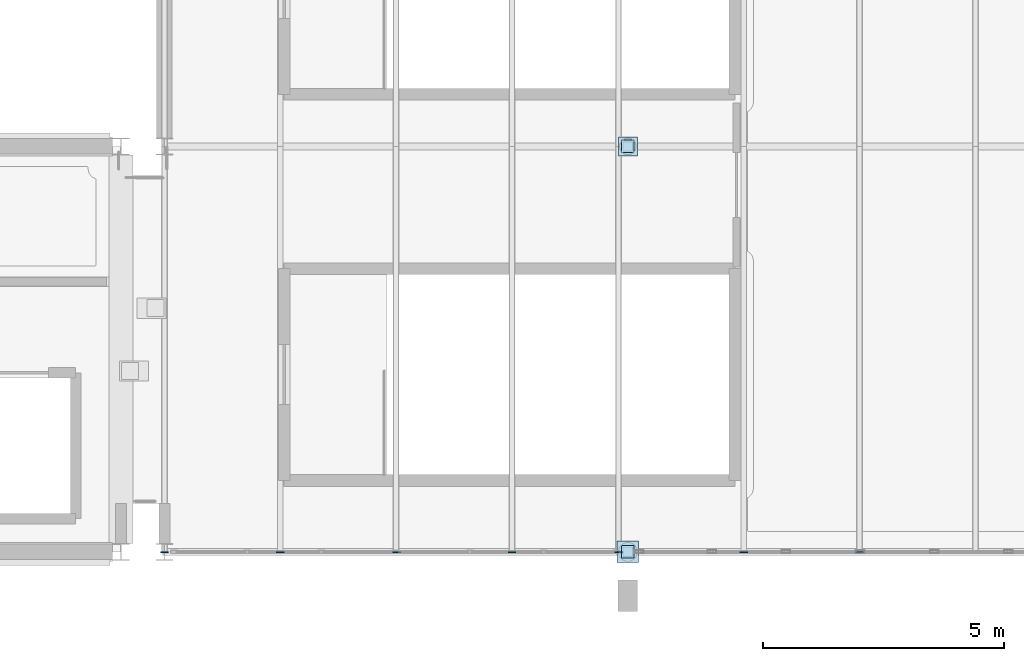
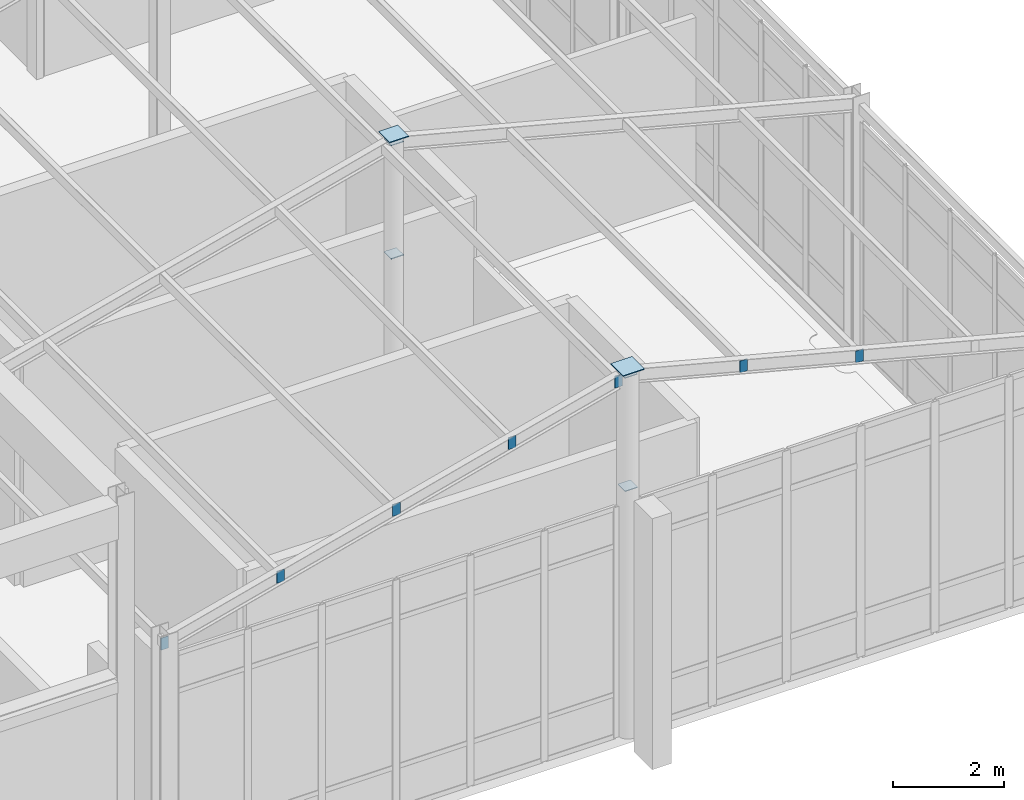
# One storey, part 105 of 121: 13 plates.
"""IFC4 building model written with IfcOpenShell, lengths in metres."""

import ifcopenshell
import ifcopenshell.guid

model = None  # the IFC model being written
_history = None  # IfcOwnerHistory: only IFC2X3 demands one
_inside = {}  # id of a spatial element -> (the spatial element, [elements in it])
_under = {}  # id of a project, library or spatial element -> (it, [spatial elements below it])
_declared = {}  # id of a project -> (the project, [libraries it declares])
_typed = {}  # id of a type object -> (the type object, [elements of that type])
_made_of = {}  # id of a material, layer set ... -> (it, [elements and type objects made of it])


def new_model(schema):
    """Start an empty IFC model of exactly this schema.

    Asked for "IFC4X3", IfcOpenShell would pick the latest addendum, in which some entities
    have other attributes; the version numbers below select the first issue.
    IFC2X3 requires an IfcOwnerHistory on every rooted entity: one is made here for all.
    """
    global model, _history
    if schema == "IFC4X3":
        model = ifcopenshell.file(schema_version=(4, 3, 0, 0))
    else:
        model = ifcopenshell.file(schema=schema)
    _inside.clear()
    _under.clear()
    _declared.clear()
    _typed.clear()
    _made_of.clear()
    _history = None
    if model.schema == "IFC2X3":
        org = make("IfcOrganization", Name="unknown")
        user = make(
            "IfcPersonAndOrganization",
            ThePerson=make("IfcPerson", FamilyName="unknown"),
            TheOrganization=org,
        )
        app = make(
            "IfcApplication",
            ApplicationDeveloper=org,
            Version="unknown",
            ApplicationFullName="unknown",
            ApplicationIdentifier="unknown",
        )
        _history = make(
            "IfcOwnerHistory",
            OwningUser=user,
            OwningApplication=app,
            ChangeAction="ADDED",
            CreationDate=0,
        )
    return model


def make(cls, **values):
    """One entity of the class cls with the attributes given. An attribute that is None is left unset."""
    return model.create_entity(
        cls, **{name: value for name, value in values.items() if value is not None}
    )


def rooted(cls, **values):
    """An entity with a GlobalId (a new one), such as an element, a storey or a relation."""
    return make(cls, GlobalId=ifcopenshell.guid.new(), OwnerHistory=_history, **values)


def si_unit(unit_type, name, prefix=None):
    """IfcSIUnit, for example si_unit("LENGTHUNIT", "METRE", prefix="MILLI")."""
    return make("IfcSIUnit", UnitType=unit_type, Prefix=prefix, Name=name)


def assignment(units):
    """IfcUnitAssignment: the units of a project."""
    return None if units is None else make("IfcUnitAssignment", Units=units)


def point(xyz):
    """IfcCartesianPoint."""
    return None if xyz is None else make("IfcCartesianPoint", Coordinates=xyz)


def direction(xyz):
    """IfcDirection."""
    return None if xyz is None else make("IfcDirection", DirectionRatios=xyz)


def frame(location, z_axis=None, x_axis=None):
    """IfcAxis2Placement3D, a coordinate frame: its origin and axes. An axis left out is left unset."""
    return make(
        "IfcAxis2Placement3D",
        Location=point(location),
        Axis=direction(z_axis),
        RefDirection=direction(x_axis),
    )


def frame_2d(location, x_axis=None):
    """IfcAxis2Placement2D, a coordinate frame in the plane: its origin and x axis."""
    return make(
        "IfcAxis2Placement2D", Location=point(location), RefDirection=direction(x_axis)
    )


def origin():
    """The frame at (0, 0, 0) with its axes left unset."""
    return frame((0.0, 0.0, 0.0))


def origin_2d():
    """The frame at (0, 0) in the plane with its x axis left unset."""
    return frame_2d((0.0, 0.0))


def place(relative_to, where):
    """IfcLocalPlacement: puts the frame where relative to a parent placement (None: the world)."""
    return make(
        "IfcLocalPlacement", PlacementRelTo=relative_to, RelativePlacement=where
    )


def context(
    kind, dimensions, precision=None, world=None, true_north=None, identifier=None
):
    """IfcGeometricRepresentationContext, for example the 3D "Model" context."""
    return make(
        "IfcGeometricRepresentationContext",
        ContextIdentifier=identifier,
        ContextType=kind,
        CoordinateSpaceDimension=dimensions,
        Precision=precision,
        WorldCoordinateSystem=world,
        TrueNorth=true_north,
    )


def subcontext(parent, identifier, kind, view, scale=None):
    """IfcGeometricRepresentationSubContext, for example "Body" below "Model"."""
    return make(
        "IfcGeometricRepresentationSubContext",
        ContextIdentifier=identifier,
        ContextType=kind,
        ParentContext=parent,
        TargetScale=scale,
        TargetView=view,
    )


def project(units=None, contexts=None):
    """IfcProject with its units and contexts."""
    return rooted(
        "IfcProject",
        Name="project",
        RepresentationContexts=contexts,
        UnitsInContext=assignment(units),
    )


def spatial(cls, under=None, at=None, **own):
    """A site, building, storey or space (cls), placed at a placement, below another one or the project."""
    s = rooted(cls, ObjectPlacement=at, **own)
    if under is not None:
        _under.setdefault(under.id(), (under, []))[1].append(s)
    return s


def profile(cls, at=None, kind="AREA", **sizes):
    """A parametric profile (cls). Its sizes go by their IFC names, for example OverallWidth=200.0."""
    return make(cls, ProfileType=kind, Position=at, **sizes)


def rectangle(**sizes):
    """IfcRectangleProfileDef."""
    return profile("IfcRectangleProfileDef", **sizes)


def extrude(swept, where, along, depth):
    """IfcExtrudedAreaSolid: the profile swept, set in the frame where, extruded along a direction by depth."""
    return make(
        "IfcExtrudedAreaSolid",
        SweptArea=swept,
        Position=where,
        ExtrudedDirection=direction(along),
        Depth=depth,
    )


def shape(context_of_items, identifier, shape_type, items):
    """IfcShapeRepresentation: the items that make up one representation, for example the "Body"."""
    return make(
        "IfcShapeRepresentation",
        ContextOfItems=context_of_items,
        RepresentationIdentifier=identifier,
        RepresentationType=shape_type,
        Items=items,
    )


def material(Name=None, Category=None):
    """IfcMaterial."""
    return make("IfcMaterial", Name=Name, Category=Category)


def layer(
    of_material, thickness, ventilated=None, Name=None, Category=None, Priority=None
):
    """IfcMaterialLayer: one layer of a wall or slab, of a material (None: an air gap)."""
    return make(
        "IfcMaterialLayer",
        Material=of_material,
        LayerThickness=thickness,
        IsVentilated=ventilated,
        Name=Name,
        Category=Category,
        Priority=Priority,
    )


def layer_set(layers, Name=None):
    """IfcMaterialLayerSet."""
    return make("IfcMaterialLayerSet", MaterialLayers=layers, LayerSetName=Name)


def made_of(thing, what):
    """Note that an element or type object is made of a material, layer set ...; save() writes the relation."""
    if what is not None:
        _made_of.setdefault(what.id(), (what, []))[1].append(thing)
    return thing


def type_object(cls, material=None, **own):
    """A type object (cls), such as IfcWallType, which elements share."""
    return made_of(rooted(cls, **own), material)


def element(
    cls,
    number,
    at=None,
    inside=None,
    cuts=None,
    type_object=None,
    material=None,
    context=None,
    identifier="Body",
    shape_type=None,
    held_by="IfcProductDefinitionShape",
    body=None,
    shapes=None,
    **own,
):
    """One element of the class cls, such as IfcWall. Its Tag is "e" and its number.

    at: its placement. inside: the storey or other place that contains it. cuts: it is an
    opening in that element (IfcRelVoidsElement). A single representation is given by context,
    identifier, shape_type and body (its items); several are given by shapes. held_by: the class
    of the entity that holds the representations. save() writes the other relations.
    """
    e = rooted(cls, Tag="e%d" % number, ObjectPlacement=at, **own)
    if body is not None:
        shapes = [shape(context, identifier, shape_type, body)]
    if shapes is not None:
        e.Representation = make(held_by, Representations=shapes)
    if inside is not None:
        _inside.setdefault(inside.id(), (inside, []))[1].append(e)
    if cuts is not None:
        rooted(
            "IfcRelVoidsElement", RelatingBuildingElement=cuts, RelatedOpeningElement=e
        )
    if type_object is not None:
        _typed.setdefault(type_object.id(), (type_object, []))[1].append(e)
    return made_of(e, material)


def aggregate(whole, parts):
    """IfcRelAggregates: a whole, such as a stair, and the parts it consists of."""
    return rooted("IfcRelAggregates", RelatingObject=whole, RelatedObjects=parts)


def save(model, path):
    """Write the relations noted so far, then the file.

    IfcRelAggregates (storeys below a building ...), IfcRelContainedInSpatialStructure (elements
    in a storey), IfcRelDefinesByType, IfcRelAssociatesMaterial and IfcRelDeclares: one each for
    every whole, place, type object, material and project.
    """
    for whole, parts in _under.values():
        aggregate(whole, parts)
    for where, things in _inside.values():
        rooted(
            "IfcRelContainedInSpatialStructure",
            RelatedElements=things,
            RelatingStructure=where,
        )
    for kind, things in _typed.values():
        rooted("IfcRelDefinesByType", RelatedObjects=things, RelatingType=kind)
    for what, things in _made_of.values():
        rooted("IfcRelAssociatesMaterial", RelatedObjects=things, RelatingMaterial=what)
    for by, libraries in _declared.values():
        rooted("IfcRelDeclares", RelatingContext=by, RelatedDefinitions=libraries)
    model.write(path)


model = new_model("IFC4")

# Units and contexts
model_context = context("Model", 3, precision=1e-05, world=origin(), true_north=direction((0.0, 1.0)))
body_context = subcontext(model_context, "Body", "Model", "MODEL_VIEW")
ifc_project = project(units=[si_unit("LENGTHUNIT", "METRE"), si_unit("AREAUNIT", "SQUARE_METRE"), si_unit("VOLUMEUNIT", "CUBIC_METRE"), si_unit("PLANEANGLEUNIT", "RADIAN"), si_unit("MASSUNIT", "GRAM", prefix="KILO")], contexts=[model_context])

# Site, building, storey
site_placement = place(None, origin())
site = spatial("IfcSite", under=ifc_project, at=site_placement, CompositionType="ELEMENT")
building_placement = place(site_placement, origin())
building = spatial("IfcBuilding", under=site, at=building_placement, Name="Canglan Escarpment Cableway Terminal", CompositionType="ELEMENT")
storey_placement = place(building_placement, frame((0.0, 0.0, 24.60009765625)))
storey = spatial("IfcBuildingStorey", under=building, at=storey_placement, Name="L05", CompositionType="ELEMENT", Elevation=24.60009765625)

# Plates
ifc_material = material(Name="Steel Q355B", Category="steel")
ifc_layer_1 = layer(ifc_material, 0.01611328125, Name="Steel Q355B")
ifc_layer_set_1 = layer_set([ifc_layer_1], Name="Steel Q355B")
plate_type_1 = type_object("IfcPlateType", Name="PLT-CAP-16", PredefinedType="SHEET", material=ifc_layer_set_1)
plate_1_placement = place(storey_placement, frame((156.800048828125, 8.0, 8.015869140625), z_axis=(0.0, 0.0, 1.0), x_axis=(1.0, 0.0, 0.0)))
element("IfcPlate", 1, at=plate_1_placement, inside=storey, type_object=plate_type_1, Name="Welded hollow column end cap plate CP-01", PredefinedType="SHEET", context=body_context, shape_type="SweptSolid", body=[
    extrude(rectangle(XDim=0.446044921875, YDim=0.446044921875, at=origin_2d()), origin(), (0.0, 0.0, 1.0), 0.01611328125),
])
plate_2_placement = place(storey_placement, frame((156.800048828125, 16.39990234375, 8.015869140625), z_axis=(0.0, 0.0, 1.0), x_axis=(1.0, 0.0, 0.0)))
element("IfcPlate", 2, at=plate_2_placement, inside=storey, type_object=plate_type_1, Name="Welded hollow column end cap plate CP-01", PredefinedType="SHEET", context=body_context, shape_type="SweptSolid", body=[
    extrude(rectangle(XDim=0.39599609375, YDim=0.39599609375, at=origin_2d()), origin(), (0.0, 0.0, 1.0), 0.01611328125),
])
for number, where, z_axis, x_axis, name in (
    (3, (147.199951171875, 7.99609375, 5.19970703125), (0.0, 0.0, 1.0), (1.0, 0.0, 0.0), "Welded hollow purlin end cap plate CP-01"),
    (4, (149.60009765625, 7.99609375, 5.82470703125), (0.0, 0.0, 1.0), (1.0, 0.0, 0.0), "Welded hollow purlin end cap plate CP-01"),
    (5, (152.0, 7.99609375, 6.44970703125), (0.0, 0.0, 1.0), (1.0, 0.0, 0.0), "Welded hollow purlin end cap plate CP-01"),
    (6, (154.39990234375, 7.99609375, 7.07470703125), (0.0, 0.0, 1.0), (1.0, 0.0, 0.0), "Welded hollow purlin end cap plate CP-01"),
    (7, (156.60791015625, 7.99609375, 7.64990234375), (0.0, 0.0, 1.0), (1.0, 0.0, 0.0), "Welded hollow purlin end cap plate CP-01"),
    (8, (159.199951171875, 7.99609375, 7.07470703125), (0.0, 0.0, 1.0), (1.0, 0.0, 0.0), "Welded hollow purlin end cap plate CP-01"),
    (9, (161.60009765625, 7.99609375, 6.44970703125), (0.0, 0.0, 1.0), (1.0, 0.0, 0.0), "Welded hollow purlin end cap plate CP-01"),
):
    element("IfcPlate", number, at=place(storey_placement, frame(where, z_axis=z_axis, x_axis=x_axis)), inside=storey, type_object=plate_type_1, Name=name, PredefinedType="SHEET", context=body_context, shape_type="SweptSolid", body=[
        extrude(rectangle(XDim=0.159912109375, YDim=0.01611328125, at=origin_2d()), origin(), (0.0, 0.0, 1.0), 0.260009765625),
    ])
ifc_layer_2 = layer(ifc_material, 0.01611328125, Name="Steel Q355B")
ifc_layer_set_2 = layer_set([ifc_layer_2], Name="Steel Q355B")
plate_type_2 = type_object("IfcPlateType", Name="PLT-GUSSET-16", PredefinedType="USERDEFINED", material=ifc_layer_set_2)
for number, where, z_axis, x_axis, name in (
    (10, (156.800048828125, 8.0, 5.39990234375), (0.0, 0.0, 1.0), (1.0, 0.0, 0.0), "Ridge post end connection plate GP-03"),
    (11, (156.800048828125, 8.0, 7.8837890625), (0.0, 0.0, 1.0), (1.0, 0.0, 0.0), "Ridge post end connection plate GP-03"),
    (12, (156.800048828125, 16.39990234375, 5.39990234375), (0.0, 0.0, 1.0), (1.0, 0.0, 0.0), "Ridge post end connection plate GP-03"),
    (13, (156.800048828125, 16.39990234375, 7.8837890625), (0.0, 0.0, 1.0), (1.0, 0.0, 0.0), "Ridge post end connection plate GP-03"),
):
    element("IfcPlate", number, at=place(storey_placement, frame(where, z_axis=z_axis, x_axis=x_axis)), inside=storey, type_object=plate_type_2, Name=name, ObjectType="GUSSET PLATE", PredefinedType="USERDEFINED", context=body_context, shape_type="SweptSolid", body=[
        extrude(rectangle(XDim=0.260009765625, YDim=0.260009765625, at=origin_2d()), origin(), (0.0, 0.0, 1.0), 0.01611328125),
    ])

save(model, "model.ifc")
